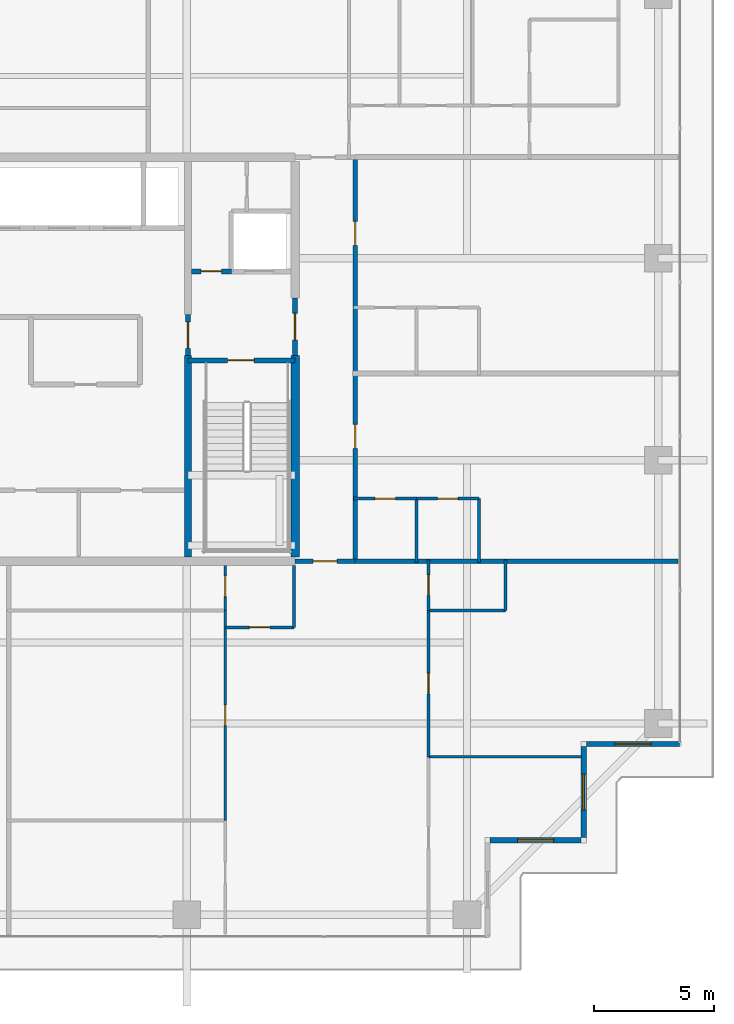
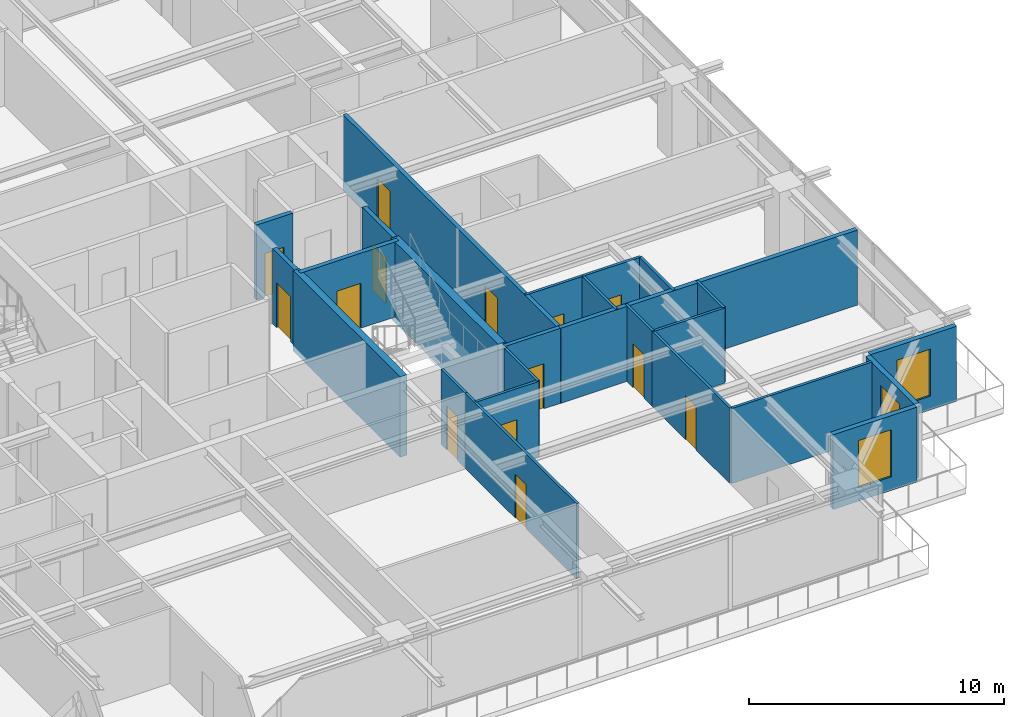
# One storey, part 29 of 38: 25 walls, 14 doors, 3 windows, 17 openings.
"""IFC4 building model written with IfcOpenShell, lengths in metres."""

from ifc_helpers import new_model, si_unit, direction, frame, frame_2d, origin, place, context, subcontext, project, spatial, rectangle, extrude, source, transform, mapped, material, layer, layer_set, type_object, element, fill, save


model = new_model("IFC4")

# Units and contexts
model_context = context("Model", 3, precision=1e-05, world=origin(), true_north=direction((0.0, 1.0)))
body_context = subcontext(model_context, "Body", "Model", "MODEL_VIEW")
ifc_project = project(units=[si_unit("LENGTHUNIT", "METRE"), si_unit("AREAUNIT", "SQUARE_METRE"), si_unit("VOLUMEUNIT", "CUBIC_METRE"), si_unit("PLANEANGLEUNIT", "RADIAN"), si_unit("MASSUNIT", "GRAM", prefix="KILO")], contexts=[model_context])

# Site, building, storey
site_placement = place(None, origin())
site = spatial("IfcSite", under=ifc_project, at=site_placement, CompositionType="ELEMENT")
building_placement = place(site_placement, origin())
building = spatial("IfcBuilding", under=site, at=building_placement, Name="Serunith Strait Residences", CompositionType="ELEMENT")
storey_placement = place(building_placement, frame((0.0, 0.0, 237.39990234375)))
storey = spatial("IfcBuildingStorey", under=building, at=storey_placement, Name="L59", CompositionType="ELEMENT", Elevation=237.39990234375)

# Wall, opening, window
ifc_material_1 = material(Name="Pale-Champagne Aluminium Insulated Panel", Category="aluminium")
ifc_layer_1 = layer(ifc_material_1, 0.219970703125, Name="Pale-Champagne Aluminium Insulated Panel")
ifc_layer_set_1 = layer_set([ifc_layer_1], Name="Pale-Champagne Aluminium Insulated Panel")
wall_type_1 = type_object("IfcWallType", Name="EW-ALUM-220", PredefinedType="ELEMENTEDWALL", material=ifc_layer_set_1)
wall_1_placement = place(storey_placement, frame((49.510009765625, 5.199951171875, 0.0), z_axis=(0.0, 0.0, 1.0), x_axis=(1.0, 0.0, 0.0)))
wall_1 = element("IfcWall", 1, at=wall_1_placement, inside=storey, type_object=wall_type_1, Name="L59 Girih Serrated Corner Wall 03", PredefinedType="ELEMENTEDWALL", context=body_context, shape_type="SweptSolid", body=[
    extrude(rectangle(XDim=3.780029296875, YDim=0.219970703125, at=frame_2d((1.89013671875, 0.0))), origin(), (0.0, 0.0, 1.0), 3.5751953125),
])
opening_1_placement = place(wall_1_placement, frame((1.139892578125, 0.0, 0.64990234375)))
opening_1 = element("IfcOpeningElement", 2, at=opening_1_placement, cuts=wall_1, Name="Opening W-05", PredefinedType="OPENING", context=body_context, shape_type="SweptSolid", body=[
    extrude(rectangle(XDim=1.5, YDim=2.25, at=frame_2d((0.75, 1.125))), frame((0.0, 0.1201171875, 0.0), z_axis=(0.0, -1.0, 0.0), x_axis=(1.0, 0.0, 0.0)), (0.0, 0.0, 1.0), 0.239990234375),
])
ifc_material_2 = material(Name="Ceramic-Fritted Operable Aluminium Window Glass", Category="aluminium")
window_type = type_object("IfcWindowType", Name="WIN-C5", PartitioningType="DOUBLE_PANEL_VERTICAL", PredefinedType="WINDOW", material=ifc_material_2)
shared_shape_1 = source(origin(), body_context, "Body", "SweptSolid", [
    extrude(rectangle(XDim=1.5, YDim=2.25, at=frame_2d((0.75, 1.125))), frame((0.0, 0.030029296875, 0.0), z_axis=(0.0, -1.0, 0.0), x_axis=(1.0, 0.0, 0.0)), (0.0, 0.0, 1.0), 0.06005859375),
])
window_1_placement = place(opening_1_placement, origin())
window_1 = element("IfcWindow", 3, at=window_1_placement, inside=storey, type_object=window_type, Name="L59 Corner Operable Fritted Window 03", OverallHeight=2.25, OverallWidth=1.5, PartitioningType="SINGLE_PANEL", PredefinedType="WINDOW", context=body_context, shape_type="MappedRepresentation", body=[
    mapped(shared_shape_1, transform((0.0, 0.0, 0.0), scale=1.0)),
])
fill(opening_1, window_1)

wall_2_placement = place(storey_placement, frame((53.39990234375, 5.31005859375, 0.0), z_axis=(0.0, 0.0, 1.0), x_axis=(0.0, 1.0, 0.0)))
wall_2 = element("IfcWall", 4, at=wall_2_placement, inside=storey, type_object=wall_type_1, Name="L59 Girih Serrated Corner Wall 04", PredefinedType="ELEMENTEDWALL", context=body_context, shape_type="SweptSolid", body=[
    extrude(rectangle(XDim=3.780029296875, YDim=0.219970703125, at=frame_2d((1.89013671875, 0.0))), origin(), (0.0, 0.0, 1.0), 3.5751953125),
])
opening_2_placement = place(wall_2_placement, frame((1.139892578125, 0.0, 0.64990234375)))
opening_2 = element("IfcOpeningElement", 5, at=opening_2_placement, cuts=wall_2, Name="Opening W-05", PredefinedType="OPENING", context=body_context, shape_type="SweptSolid", body=[
    extrude(rectangle(XDim=1.5, YDim=2.25, at=frame_2d((0.75, 1.125))), frame((0.0, 0.1201171875, 0.0), z_axis=(0.0, -1.0, 0.0), x_axis=(1.0, 0.0, 0.0)), (0.0, 0.0, 1.0), 0.239990234375),
])
window_2_placement = place(opening_2_placement, origin())
window_2 = element("IfcWindow", 6, at=window_2_placement, inside=storey, type_object=window_type, Name="L59 Corner Operable Fritted Window 04", OverallHeight=2.25, OverallWidth=1.5, PartitioningType="SINGLE_PANEL", PredefinedType="WINDOW", context=body_context, shape_type="MappedRepresentation", body=[
    mapped(shared_shape_1, transform((0.0, 0.0, 0.0), scale=1.0)),
])
fill(opening_2, window_2)

wall_3_placement = place(storey_placement, frame((53.510009765625, 9.199951171875, 0.0), z_axis=(0.0, 0.0, 1.0), x_axis=(1.0, 0.0, 0.0)))
wall_3 = element("IfcWall", 7, at=wall_3_placement, inside=storey, type_object=wall_type_1, Name="L59 Girih Serrated Corner Wall 05", PredefinedType="ELEMENTEDWALL", context=body_context, shape_type="SweptSolid", body=[
    extrude(rectangle(XDim=3.889892578125, YDim=0.219970703125, at=frame_2d((1.94482421875, 0.0))), origin(), (0.0, 0.0, 1.0), 3.5751953125),
])
opening_3_placement = place(wall_3_placement, frame((1.195068359375, 0.0, 0.64990234375)))
opening_3 = element("IfcOpeningElement", 8, at=opening_3_placement, cuts=wall_3, Name="Opening W-05", PredefinedType="OPENING", context=body_context, shape_type="SweptSolid", body=[
    extrude(rectangle(XDim=1.5, YDim=2.25, at=frame_2d((0.75, 1.125))), frame((0.0, 0.1201171875, 0.0), z_axis=(0.0, -1.0, 0.0), x_axis=(1.0, 0.0, 0.0)), (0.0, 0.0, 1.0), 0.239990234375),
])
window_3_placement = place(opening_3_placement, origin())
window_3 = element("IfcWindow", 9, at=window_3_placement, inside=storey, type_object=window_type, Name="L59 Corner Operable Fritted Window 05", OverallHeight=2.25, OverallWidth=1.5, PartitioningType="SINGLE_PANEL", PredefinedType="WINDOW", context=body_context, shape_type="MappedRepresentation", body=[
    mapped(shared_shape_1, transform((0.0, 0.0, 0.0), scale=1.0)),
])
fill(opening_3, window_3)

# Wall, opening, door
ifc_material_3 = material(Name="Fire-rated acoustic gypsum partition")
ifc_layer_2 = layer(ifc_material_3, 0.179931640625, Name="Fire-rated acoustic gypsum partition")
ifc_layer_set_2 = layer_set([ifc_layer_2], Name="Fire-rated acoustic gypsum partition")
wall_type_2 = type_object("IfcWallType", Name="IW-CORR-180", PredefinedType="PARTITIONING", material=ifc_layer_set_2)
wall_4_placement = place(storey_placement, frame((41.402099609375, 16.800048828125, 0.0), z_axis=(0.0, 0.0, 1.0), x_axis=(1.0, 0.0, 0.0)))
wall_4 = element("IfcWall", 10, at=wall_4_placement, inside=storey, type_object=wall_type_2, Name="L59 Partition Wall 032", PredefinedType="PARTITIONING", context=body_context, shape_type="SweptSolid", body=[
    extrude(rectangle(XDim=2.495849609375, YDim=0.179931640625, at=frame_2d((1.248046875, 0.0))), origin(), (0.0, 0.0, 1.0), 3.590087890625),
])
opening_4_placement = place(wall_4_placement, frame((0.748046875, 0.0, 0.0)))
opening_4 = element("IfcOpeningElement", 11, at=opening_4_placement, cuts=wall_4, Name="Opening D-APT1000", PredefinedType="OPENING", context=body_context, shape_type="SweptSolid", body=[
    extrude(rectangle(XDim=1.0, YDim=2.14990234375, at=frame_2d((0.5, 1.074951171875))), frame((0.0, 0.10009765625, 0.0), z_axis=(0.0, -1.0, 0.0), x_axis=(1.0, 0.0, 0.0)), (0.0, 0.0, 1.0), 0.199951171875),
])
ifc_material_4 = material(Name="Solid timber engineered fire door", Category="wood")
door_type_1 = type_object("IfcDoorType", Name="ID-APT-1000", OperationType="NOTDEFINED", PredefinedType="DOOR", material=ifc_material_4)
shared_shape_2 = source(origin(), body_context, "Body", "SweptSolid", [
    extrude(rectangle(XDim=1.0, YDim=2.14990234375, at=frame_2d((0.5, 1.074951171875))), frame((0.0, 0.02490234375, 0.0), z_axis=(0.0, -1.0, 0.0), x_axis=(1.0, 0.0, 0.0)), (0.0, 0.0, 1.0), 0.050048828125),
])
door_1_placement = place(opening_4_placement, origin())
door_1 = element("IfcDoor", 12, at=door_1_placement, inside=storey, type_object=door_type_1, Name="L59 Unit 02 Entrance Door", OperationType="SINGLE_SWING_LEFT", OverallHeight=2.14990234375, OverallWidth=1.0, PredefinedType="DOOR", context=body_context, shape_type="MappedRepresentation", body=[
    mapped(shared_shape_2, transform((0.0, 0.0, 0.0), scale=1.0)),
])
fill(opening_4, door_1)

# Wall, openings, doors
wall_5_placement = place(storey_placement, frame((43.89990234375, 16.800048828125, 0.0), z_axis=(0.0, 0.0, 1.0), x_axis=(0.0, 1.0, 0.0)))
wall_5 = element("IfcWall", 13, at=wall_5_placement, inside=storey, type_object=wall_type_2, Name="L59 Partition Wall 034", PredefinedType="PARTITIONING", context=body_context, shape_type="SweptSolid", body=[
    extrude(rectangle(XDim=16.800048828125, YDim=0.179931640625, at=frame_2d((8.39990234375, 0.0))), origin(), (0.0, 0.0, 1.0), 3.590087890625),
])
opening_5_placement = place(wall_5_placement, frame((4.693115234375, 0.0, 0.0)))
opening_5 = element("IfcOpeningElement", 14, at=opening_5_placement, cuts=wall_5, Name="Opening D-APT1000", PredefinedType="OPENING", context=body_context, shape_type="SweptSolid", body=[
    extrude(rectangle(XDim=1.0, YDim=2.14990234375, at=frame_2d((0.5, 1.074951171875))), frame((0.0, 0.10009765625, 0.0), z_axis=(0.0, -1.0, 0.0), x_axis=(1.0, 0.0, 0.0)), (0.0, 0.0, 1.0), 0.199951171875),
])
opening_6_placement = place(wall_5_placement, frame((13.1298828125, 0.0, 0.0)))
opening_6 = element("IfcOpeningElement", 15, at=opening_6_placement, cuts=wall_5, Name="Opening D-APT1000", PredefinedType="OPENING", context=body_context, shape_type="SweptSolid", body=[
    extrude(rectangle(XDim=1.0, YDim=2.14990234375, at=frame_2d((0.5, 1.074951171875))), frame((0.0, 0.10009765625, 0.0), z_axis=(0.0, -1.0, 0.0), x_axis=(1.0, 0.0, 0.0)), (0.0, 0.0, 1.0), 0.199951171875),
])
door_2_placement = place(opening_5_placement, origin())
door_2 = element("IfcDoor", 16, at=door_2_placement, inside=storey, type_object=door_type_1, Name="L59 Unit 08 Entrance Door", OperationType="SINGLE_SWING_LEFT", OverallHeight=2.14990234375, OverallWidth=1.0, PredefinedType="DOOR", context=body_context, shape_type="MappedRepresentation", body=[
    mapped(shared_shape_2, transform((0.0, 0.0, 0.0), scale=1.0)),
])
fill(opening_5, door_2)
door_3_placement = place(opening_6_placement, origin())
door_3 = element("IfcDoor", 17, at=door_3_placement, inside=storey, type_object=door_type_1, Name="L59 Unit 09 Entrance Door", OperationType="SINGLE_SWING_RIGHT", OverallHeight=2.14990234375, OverallWidth=1.0, PredefinedType="DOOR", context=body_context, shape_type="MappedRepresentation", body=[
    mapped(shared_shape_2, transform((0.0, 0.0, 0.0), scale=1.0)),
])
fill(opening_6, door_3)

# Wall, opening, door
ifc_material_5 = material(Name="Lightweight steel-stud gypsum partition", Category="steel")
ifc_layer_3 = layer(ifc_material_5, 0.1201171875, Name="Lightweight steel-stud gypsum partition")
ifc_layer_set_3 = layer_set([ifc_layer_3], Name="Lightweight steel-stud gypsum partition")
wall_type_3 = type_object("IfcWallType", Name="IW-PART-120", PredefinedType="PARTITIONING", material=ifc_layer_set_3)
wall_6_placement = place(storey_placement, frame((38.5, 14.050048828125, 0.0), z_axis=(0.0, 0.0, 1.0), x_axis=(1.0, 0.0, 0.0)))
wall_6 = element("IfcWall", 18, at=wall_6_placement, inside=storey, type_object=wall_type_3, Name="L59 Partition Wall 049", PredefinedType="PARTITIONING", context=body_context, shape_type="SweptSolid", body=[
    extrude(rectangle(XDim=2.85009765625, YDim=0.1201171875, at=frame_2d((1.425048828125, 0.0))), origin(), (0.0, 0.0, 1.0), 3.590087890625),
])
opening_7_placement = place(wall_6_placement, frame((1.0, 0.0, 0.0)))
opening_7 = element("IfcOpeningElement", 19, at=opening_7_placement, cuts=wall_6, Name="Opening D-RM850", PredefinedType="OPENING", context=body_context, shape_type="SweptSolid", body=[
    extrude(rectangle(XDim=0.85009765625, YDim=2.10009765625, at=frame_2d((0.425048828125, 1.050048828125))), frame((0.0, 0.070068359375, 0.0), z_axis=(0.0, -1.0, 0.0), x_axis=(1.0, 0.0, 0.0)), (0.0, 0.0, 1.0), 0.14013671875),
])
ifc_material_6 = material(Name="Engineered timber flush study and kitchen door", Category="wood")
door_type_2 = type_object("IfcDoorType", Name="ID-ROOM-850", OperationType="NOTDEFINED", PredefinedType="DOOR", material=ifc_material_6)
shared_shape_3 = source(origin(), body_context, "Body", "SweptSolid", [
    extrude(rectangle(XDim=0.85009765625, YDim=2.10009765625, at=frame_2d((0.425048828125, 1.050048828125))), frame((0.0, 0.02490234375, 0.0), z_axis=(0.0, -1.0, 0.0), x_axis=(1.0, 0.0, 0.0)), (0.0, 0.0, 1.0), 0.050048828125),
])
door_4_placement = place(opening_7_placement, origin())
door_4 = element("IfcDoor", 20, at=door_4_placement, inside=storey, type_object=door_type_2, Name="L59 Kitchen 5902 Door", OperationType="SINGLE_SWING_RIGHT", OverallHeight=2.10009765625, OverallWidth=0.85009765625, PredefinedType="DOOR", context=body_context, shape_type="MappedRepresentation", body=[
    mapped(shared_shape_3, transform((0.0, 0.0, 0.0), scale=1.0)),
])
fill(opening_7, door_4)

# Wall
wall_7_placement = place(storey_placement, frame((41.35009765625, 14.050048828125, 0.0), z_axis=(0.0, 0.0, 1.0), x_axis=(0.0, 1.0, 0.0)))
element("IfcWall", 21, at=wall_7_placement, inside=storey, type_object=wall_type_3, Name="L59 Partition Wall 050", PredefinedType="PARTITIONING", context=body_context, shape_type="SweptSolid", body=[
    extrude(rectangle(XDim=2.574951171875, YDim=0.1201171875, at=frame_2d((1.28759765625, 0.0))), origin(), (0.0, 0.0, 1.0), 3.590087890625),
])

# Wall, opening, door
wall_8_placement = place(storey_placement, frame((38.5, 6.02392578125, 0.0), z_axis=(0.0, 0.0, 1.0), x_axis=(0.0, 1.0, 0.0)))
wall_8 = element("IfcWall", 22, at=wall_8_placement, inside=storey, type_object=wall_type_3, Name="L59 Partition Wall 054", PredefinedType="PARTITIONING", context=body_context, shape_type="SweptSolid", body=[
    extrude(rectangle(XDim=8.72607421875, YDim=0.1201171875, at=frame_2d((4.363037109375, 0.0))), origin(), (0.0, 0.0, 1.0), 3.590087890625),
])
opening_8_placement = place(wall_8_placement, frame((3.93798828125, 0.0, 0.0)))
opening_8 = element("IfcOpeningElement", 23, at=opening_8_placement, cuts=wall_8, Name="Opening D-RM850", PredefinedType="OPENING", context=body_context, shape_type="SweptSolid", body=[
    extrude(rectangle(XDim=0.85009765625, YDim=2.10009765625, at=frame_2d((0.425048828125, 1.050048828125))), frame((0.0, 0.070068359375, 0.0), z_axis=(0.0, -1.0, 0.0), x_axis=(1.0, 0.0, 0.0)), (0.0, 0.0, 1.0), 0.14013671875),
])
door_5_placement = place(opening_8_placement, origin())
door_5 = element("IfcDoor", 24, at=door_5_placement, inside=storey, type_object=door_type_2, Name="L59 Walk-in Wardrobe 5902 Door", OperationType="SINGLE_SWING_RIGHT", OverallHeight=2.10009765625, OverallWidth=0.85009765625, PredefinedType="DOOR", context=body_context, shape_type="MappedRepresentation", body=[
    mapped(shared_shape_3, transform((0.0, 0.0, 0.0), scale=1.0)),
])
fill(opening_8, door_5)

wall_9_placement = place(storey_placement, frame((38.5, 14.751953125, 0.0), z_axis=(0.0, 0.0, 1.0), x_axis=(0.0, 1.0, 0.0)))
wall_9 = element("IfcWall", 25, at=wall_9_placement, inside=storey, type_object=wall_type_3, Name="L59 Partition Wall 055", PredefinedType="PARTITIONING", context=body_context, shape_type="SweptSolid", body=[
    extrude(rectangle(XDim=1.873046875, YDim=0.1201171875, at=frame_2d((0.9365234375, 0.0))), origin(), (0.0, 0.0, 1.0), 3.590087890625),
])
opening_9_placement = place(wall_9_placement, frame((0.574951171875, 0.0, 0.0)))
opening_9 = element("IfcOpeningElement", 26, at=opening_9_placement, cuts=wall_9, Name="Opening D-BTH850", PredefinedType="OPENING", context=body_context, shape_type="SweptSolid", body=[
    extrude(rectangle(XDim=0.85009765625, YDim=2.10009765625, at=frame_2d((0.425048828125, 1.050048828125))), frame((0.0, 0.070068359375, 0.0), z_axis=(0.0, -1.0, 0.0), x_axis=(1.0, 0.0, 0.0)), (0.0, 0.0, 1.0), 0.14013671875),
])
ifc_material_7 = material(Name="Moisture-resistant timber bathroom door", Category="wood")
door_type_3 = type_object("IfcDoorType", Name="ID-BATH-850", OperationType="NOTDEFINED", PredefinedType="DOOR", material=ifc_material_7)
door_6_placement = place(opening_9_placement, origin())
door_6 = element("IfcDoor", 27, at=door_6_placement, inside=storey, type_object=door_type_3, Name="L59 Bathroom 5902 Door", OperationType="SINGLE_SWING_LEFT", OverallHeight=2.10009765625, OverallWidth=0.85009765625, PredefinedType="DOOR", context=body_context, shape_type="MappedRepresentation", body=[
    mapped(shared_shape_3, transform((0.0, 0.0, 0.0), scale=1.0)),
])
fill(opening_9, door_6)

# Walls
wall_10_placement = place(storey_placement, frame((46.949951171875, 8.66796875, 0.0), z_axis=(0.0, 0.0, 1.0), x_axis=(1.0, 0.0, 0.0)))
element("IfcWall", 28, at=wall_10_placement, inside=storey, type_object=wall_type_3, Name="L59 Partition Wall 057", PredefinedType="PARTITIONING", context=body_context, shape_type="SweptSolid", body=[
    extrude(rectangle(XDim=6.35498046875, YDim=0.1201171875, at=frame_2d((3.177490234375, 0.0))), origin(), (0.0, 0.0, 1.0), 3.590087890625),
])
wall_11_placement = place(storey_placement, frame((46.949951171875, 14.75, 0.0), z_axis=(0.0, 0.0, 1.0), x_axis=(1.0, 0.0, 0.0)))
element("IfcWall", 29, at=wall_11_placement, inside=storey, type_object=wall_type_3, Name="L59 Partition Wall 058", PredefinedType="PARTITIONING", context=body_context, shape_type="SweptSolid", body=[
    extrude(rectangle(XDim=3.199951171875, YDim=0.1201171875, at=frame_2d((1.60009765625, 0.0))), origin(), (0.0, 0.0, 1.0), 3.590087890625),
])
wall_12_placement = place(storey_placement, frame((50.14990234375, 14.75, 0.0), z_axis=(0.0, 0.0, 1.0), x_axis=(0.0, 1.0, 0.0)))
element("IfcWall", 30, at=wall_12_placement, inside=storey, type_object=wall_type_3, Name="L59 Partition Wall 059", PredefinedType="PARTITIONING", context=body_context, shape_type="SweptSolid", body=[
    extrude(rectangle(XDim=2.110107421875, YDim=0.1201171875, at=frame_2d((1.05517578125, 0.0))), origin(), (0.0, 0.0, 1.0), 3.590087890625),
])

# Wall, opening, door
wall_13_placement = place(storey_placement, frame((46.949951171875, 8.669921875, 0.0), z_axis=(0.0, 0.0, 1.0), x_axis=(0.0, 1.0, 0.0)))
wall_13 = element("IfcWall", 31, at=wall_13_placement, inside=storey, type_object=wall_type_3, Name="L59 Partition Wall 060", PredefinedType="PARTITIONING", context=body_context, shape_type="SweptSolid", body=[
    extrude(rectangle(XDim=6.080078125, YDim=0.1201171875, at=frame_2d((3.0400390625, 0.0))), origin(), (0.0, 0.0, 1.0), 3.590087890625),
])
opening_10_placement = place(wall_13_placement, frame((2.614990234375, 0.0, 0.0)))
opening_10 = element("IfcOpeningElement", 32, at=opening_10_placement, cuts=wall_13, Name="Opening D-RM850", PredefinedType="OPENING", context=body_context, shape_type="SweptSolid", body=[
    extrude(rectangle(XDim=0.85009765625, YDim=2.10009765625, at=frame_2d((0.425048828125, 1.050048828125))), frame((0.0, 0.070068359375, 0.0), z_axis=(0.0, -1.0, 0.0), x_axis=(1.0, 0.0, 0.0)), (0.0, 0.0, 1.0), 0.14013671875),
])
door_7_placement = place(opening_10_placement, origin())
door_7 = element("IfcDoor", 33, at=door_7_placement, inside=storey, type_object=door_type_2, Name="L59 Walk-in Wardrobe 5902 Door", OperationType="SINGLE_SWING_LEFT", OverallHeight=2.10009765625, OverallWidth=0.85009765625, PredefinedType="DOOR", context=body_context, shape_type="MappedRepresentation", body=[
    mapped(shared_shape_3, transform((0.0, 0.0, 0.0), scale=1.0)),
])
fill(opening_10, door_7)

wall_14_placement = place(storey_placement, frame((46.949951171875, 14.751953125, 0.0), z_axis=(0.0, 0.0, 1.0), x_axis=(0.0, 1.0, 0.0)))
wall_14 = element("IfcWall", 34, at=wall_14_placement, inside=storey, type_object=wall_type_3, Name="L59 Partition Wall 061", PredefinedType="PARTITIONING", context=body_context, shape_type="SweptSolid", body=[
    extrude(rectangle(XDim=2.108154296875, YDim=0.1201171875, at=frame_2d((1.05419921875, 0.0))), origin(), (0.0, 0.0, 1.0), 3.590087890625),
])
opening_11_placement = place(wall_14_placement, frame((0.62890625, 0.0, 0.0)))
opening_11 = element("IfcOpeningElement", 35, at=opening_11_placement, cuts=wall_14, Name="Opening D-BTH850", PredefinedType="OPENING", context=body_context, shape_type="SweptSolid", body=[
    extrude(rectangle(XDim=0.85009765625, YDim=2.10009765625, at=frame_2d((0.425048828125, 1.050048828125))), frame((0.0, 0.070068359375, 0.0), z_axis=(0.0, -1.0, 0.0), x_axis=(1.0, 0.0, 0.0)), (0.0, 0.0, 1.0), 0.14013671875),
])
door_8_placement = place(opening_11_placement, origin())
door_8 = element("IfcDoor", 36, at=door_8_placement, inside=storey, type_object=door_type_3, Name="L59 Bathroom 5902 Door", OperationType="SINGLE_SWING_RIGHT", OverallHeight=2.10009765625, OverallWidth=0.85009765625, PredefinedType="DOOR", context=body_context, shape_type="MappedRepresentation", body=[
    mapped(shared_shape_3, transform((0.0, 0.0, 0.0), scale=1.0)),
])
fill(opening_11, door_8)

wall_15_placement = place(storey_placement, frame((49.050048828125, 19.39990234375, 0.0), z_axis=(0.0, 0.0, 1.0), x_axis=(-1.0, 0.0, 0.0)))
wall_15 = element("IfcWall", 37, at=wall_15_placement, inside=storey, type_object=wall_type_3, Name="L59 Partition Wall 101", PredefinedType="PARTITIONING", context=body_context, shape_type="SweptSolid", body=[
    extrude(rectangle(XDim=2.60009765625, YDim=0.1201171875, at=frame_2d((1.300048828125, 0.0))), origin(), (0.0, 0.0, 1.0), 3.590087890625),
])
opening_12_placement = place(wall_15_placement, frame((0.875, 0.0, 0.0)))
opening_12 = element("IfcOpeningElement", 38, at=opening_12_placement, cuts=wall_15, Name="Opening D-RM850", PredefinedType="OPENING", context=body_context, shape_type="SweptSolid", body=[
    extrude(rectangle(XDim=0.85009765625, YDim=2.10009765625, at=frame_2d((0.425048828125, 1.050048828125))), frame((0.0, 0.070068359375, 0.0), z_axis=(0.0, -1.0, 0.0), x_axis=(1.0, 0.0, 0.0)), (0.0, 0.0, 1.0), 0.14013671875),
])
door_9_placement = place(opening_12_placement, origin())
door_9 = element("IfcDoor", 39, at=door_9_placement, inside=storey, type_object=door_type_2, Name="L59 Kitchen 5908 Door", OperationType="SINGLE_SWING_LEFT", OverallHeight=2.10009765625, OverallWidth=0.85009765625, PredefinedType="DOOR", context=body_context, shape_type="MappedRepresentation", body=[
    mapped(shared_shape_3, transform((0.0, 0.0, 0.0), scale=1.0)),
])
fill(opening_12, door_9)

wall_16_placement = place(storey_placement, frame((46.447998046875, 19.39990234375, 0.0), z_axis=(0.0, 0.0, 1.0), x_axis=(-1.0, 0.0, 0.0)))
wall_16 = element("IfcWall", 40, at=wall_16_placement, inside=storey, type_object=wall_type_3, Name="L59 Partition Wall 102", PredefinedType="PARTITIONING", context=body_context, shape_type="SweptSolid", body=[
    extrude(rectangle(XDim=2.60791015625, YDim=0.1201171875, at=frame_2d((1.303955078125, 0.0))), origin(), (0.0, 0.0, 1.0), 3.590087890625),
])
opening_13_placement = place(wall_16_placement, frame((0.87890625, 0.0, 0.0)))
opening_13 = element("IfcOpeningElement", 41, at=opening_13_placement, cuts=wall_16, Name="Opening D-BTH850", PredefinedType="OPENING", context=body_context, shape_type="SweptSolid", body=[
    extrude(rectangle(XDim=0.85009765625, YDim=2.10009765625, at=frame_2d((0.425048828125, 1.050048828125))), frame((0.0, 0.070068359375, 0.0), z_axis=(0.0, -1.0, 0.0), x_axis=(1.0, 0.0, 0.0)), (0.0, 0.0, 1.0), 0.14013671875),
])
door_10_placement = place(opening_13_placement, origin())
door_10 = element("IfcDoor", 42, at=door_10_placement, inside=storey, type_object=door_type_3, Name="L59 Bathroom 5908 Door", OperationType="SINGLE_SWING_RIGHT", OverallHeight=2.10009765625, OverallWidth=0.85009765625, PredefinedType="DOOR", context=body_context, shape_type="MappedRepresentation", body=[
    mapped(shared_shape_3, transform((0.0, 0.0, 0.0), scale=1.0)),
])
fill(opening_13, door_10)

# Walls
for number, where, z_axis, x_axis, name in (
    (43, (46.449951171875, 16.739990234375, 0.0), (0.0, 0.0, 1.0), (0.0, 1.0, 0.0), "L59 Partition Wall 103"),
    (44, (49.050048828125, 16.739990234375, 0.0), (0.0, 0.0, 1.0), (0.0, 1.0, 0.0), "L59 Partition Wall 104"),
):
    element("IfcWall", number, at=place(storey_placement, frame(where, z_axis=z_axis, x_axis=x_axis)), inside=storey, type_object=wall_type_3, Name=name, PredefinedType="PARTITIONING", context=body_context, shape_type="SweptSolid", body=[
        extrude(rectangle(XDim=2.659912109375, YDim=0.1201171875, at=frame_2d((1.330078125, 0.0))), origin(), (0.0, 0.0, 1.0), 3.590087890625),
    ])
ifc_material_8 = material(Name="Twin-stud acoustic gypsum board partition")
ifc_layer_4 = layer(ifc_material_8, 0.199951171875, Name="Twin-stud acoustic gypsum board partition")
ifc_layer_set_4 = layer_set([ifc_layer_4], Name="Twin-stud acoustic gypsum board partition")
wall_type_4 = type_object("IfcWallType", Name="IW-PARTY-200", PredefinedType="PARTITIONING", material=ifc_layer_set_4)
wall_17_placement = place(storey_placement, frame((43.89990234375, 16.800048828125, 0.0), z_axis=(0.0, 0.0, 1.0), x_axis=(1.0, 0.0, 0.0)))
element("IfcWall", 45, at=wall_17_placement, inside=storey, type_object=wall_type_4, Name="L59 Partition Wall 026", PredefinedType="PARTITIONING", context=body_context, shape_type="SweptSolid", body=[
    extrude(rectangle(XDim=13.418212890625, YDim=0.199951171875, at=frame_2d((6.708984375, 0.0))), origin(), (0.0, 0.0, 1.0), 3.590087890625),
])

# Wall, opening, door
ifc_material_9 = material(Name="Autoclaved aerated concrete blockwork", Category="masonry")
ifc_layer_5 = layer(ifc_material_9, 0.199951171875, Name="Autoclaved aerated concrete blockwork")
ifc_layer_set_5 = layer_set([ifc_layer_5], Name="Autoclaved aerated concrete blockwork")
wall_type_5 = type_object("IfcWallType", Name="IW-SHAFT-200", PredefinedType="STANDARD", material=ifc_layer_set_5)
wall_18_placement = place(storey_placement, frame((36.949951171875, 25.14990234375, 0.0), z_axis=(0.0, 0.0, 1.0), x_axis=(1.0, 0.0, 0.0)))
wall_18 = element("IfcWall", 46, at=wall_18_placement, inside=storey, type_object=wall_type_5, Name="L59 ST-2 North Shaft Wall", PredefinedType="STANDARD", context=body_context, shape_type="SweptSolid", body=[
    extrude(rectangle(XDim=4.449951171875, YDim=0.199951171875, at=frame_2d((2.22509765625, 0.0))), origin(), (0.0, 0.0, 1.0), 3.590087890625),
])
opening_14_placement = place(wall_18_placement, frame((1.64990234375, 0.0, 0.0)))
opening_14 = element("IfcOpeningElement", 47, at=opening_14_placement, cuts=wall_18, Name="Opening FD-1100", PredefinedType="OPENING", context=body_context, shape_type="SweptSolid", body=[
    extrude(rectangle(XDim=1.10009765625, YDim=2.14990234375, at=frame_2d((0.550048828125, 1.074951171875))), frame((0.0, 0.10986328125, 0.0), z_axis=(0.0, -1.0, 0.0), x_axis=(1.0, 0.0, 0.0)), (0.0, 0.0, 1.0), 0.219970703125),
])
ifc_material_10 = material(Name="Galvanised steel fire door leaf", Category="steel")
door_type_4 = type_object("IfcDoorType", Name="FD-STAIR-1100", OperationType="NOTDEFINED", PredefinedType="DOOR", material=ifc_material_10)
shared_shape_4 = source(origin(), body_context, "Body", "SweptSolid", [
    extrude(rectangle(XDim=1.10009765625, YDim=2.14990234375, at=frame_2d((0.550048828125, 1.074951171875))), frame((0.0, 0.02490234375, 0.0), z_axis=(0.0, -1.0, 0.0), x_axis=(1.0, 0.0, 0.0)), (0.0, 0.0, 1.0), 0.050048828125),
])
door_11_placement = place(opening_14_placement, origin())
door_11 = element("IfcDoor", 48, at=door_11_placement, inside=storey, type_object=door_type_4, Name="L59 ST-2 Escape Stair Door", OperationType="SINGLE_SWING_RIGHT", OverallHeight=2.14990234375, OverallWidth=1.10009765625, PredefinedType="DOOR", context=body_context, shape_type="MappedRepresentation", body=[
    mapped(shared_shape_4, transform((0.0, 0.0, 0.0), scale=1.0)),
])
fill(opening_14, door_11)

wall_19_placement = place(storey_placement, frame((37.10009765625, 28.85009765625, 0.0), z_axis=(0.0, 0.0, 1.0), x_axis=(1.0, 0.0, 0.0)))
wall_19 = element("IfcWall", 49, at=wall_19_placement, inside=storey, type_object=wall_type_5, Name="L59 Partition Wall 006", PredefinedType="STANDARD", context=body_context, shape_type="SweptSolid", body=[
    extrude(rectangle(XDim=1.64794921875, YDim=0.199951171875, at=frame_2d((0.823974609375, 0.0))), origin(), (0.0, 0.0, 1.0), 3.590087890625),
])
opening_15_placement = place(wall_19_placement, frame((0.39892578125, 0.0, 0.0)))
opening_15 = element("IfcOpeningElement", 50, at=opening_15_placement, cuts=wall_19, Name="Opening FD-850", PredefinedType="OPENING", context=body_context, shape_type="SweptSolid", body=[
    extrude(rectangle(XDim=0.85009765625, YDim=2.10009765625, at=frame_2d((0.425048828125, 1.050048828125))), frame((0.0, 0.10986328125, 0.0), z_axis=(0.0, -1.0, 0.0), x_axis=(1.0, 0.0, 0.0)), (0.0, 0.0, 1.0), 0.219970703125),
])
ifc_material_11 = material(Name="Powder-coated steel service closet door", Category="steel")
door_type_5 = type_object("IfcDoorType", Name="FD-BOH-850", OperationType="NOTDEFINED", PredefinedType="DOOR", material=ifc_material_11)
door_12_placement = place(opening_15_placement, origin())
door_12 = element("IfcDoor", 51, at=door_12_placement, inside=storey, type_object=door_type_5, Name="L59 North-East Core Service Door", OperationType="SINGLE_SWING_RIGHT", OverallHeight=2.10009765625, OverallWidth=0.85009765625, PredefinedType="DOOR", context=body_context, shape_type="MappedRepresentation", body=[
    mapped(shared_shape_3, transform((0.0, 0.0, 0.0), scale=1.0)),
])
fill(opening_15, door_12)

wall_20_placement = place(storey_placement, frame((41.39990234375, 25.35205078125, 0.0), z_axis=(0.0, 0.0, 1.0), x_axis=(0.0, 1.0, 0.0)))
wall_20 = element("IfcWall", 52, at=wall_20_placement, inside=storey, type_object=wall_type_5, Name="L59 Partition Wall 008", PredefinedType="STANDARD", context=body_context, shape_type="SweptSolid", body=[
    extrude(rectangle(XDim=2.39599609375, YDim=0.199951171875, at=frame_2d((1.197998046875, 0.0))), origin(), (0.0, 0.0, 1.0), 3.590087890625),
])
opening_16_placement = place(wall_20_placement, frame((0.64794921875, 0.0, 0.0)))
opening_16 = element("IfcOpeningElement", 53, at=opening_16_placement, cuts=wall_20, Name="Opening FD-FFL", PredefinedType="OPENING", context=body_context, shape_type="SweptSolid", body=[
    extrude(rectangle(XDim=1.10009765625, YDim=2.14990234375, at=frame_2d((0.550048828125, 1.074951171875))), frame((0.0, 0.10986328125, 0.0), z_axis=(0.0, -1.0, 0.0), x_axis=(1.0, 0.0, 0.0)), (0.0, 0.0, 1.0), 0.219970703125),
])
ifc_material_12 = material(Name="Glazed steel smoke-lobby fire door", Category="steel")
door_type_6 = type_object("IfcDoorType", Name="FD-FFL-1100", OperationType="NOTDEFINED", PredefinedType="DOOR", material=ifc_material_12)
door_13_placement = place(opening_16_placement, origin())
door_13 = element("IfcDoor", 54, at=door_13_placement, inside=storey, type_object=door_type_6, Name="L59 FFL-2 Corridor Fire Door", OperationType="SINGLE_SWING_RIGHT", OverallHeight=2.14990234375, OverallWidth=1.10009765625, PredefinedType="DOOR", context=body_context, shape_type="MappedRepresentation", body=[
    mapped(shared_shape_4, transform((0.0, 0.0, 0.0), scale=1.0)),
])
fill(opening_16, door_13)

wall_21_placement = place(storey_placement, frame((36.949951171875, 25.35205078125, 0.0), z_axis=(0.0, 0.0, 1.0), x_axis=(0.0, 1.0, 0.0)))
wall_21 = element("IfcWall", 55, at=wall_21_placement, inside=storey, type_object=wall_type_5, Name="L59 Partition Wall 010", PredefinedType="STANDARD", context=body_context, shape_type="SweptSolid", body=[
    extrude(rectangle(XDim=1.696044921875, YDim=0.199951171875, at=frame_2d((0.84814453125, 0.0))), origin(), (0.0, 0.0, 1.0), 3.590087890625),
])
opening_17_placement = place(wall_21_placement, frame((0.298095703125, 0.0, 0.0)))
opening_17 = element("IfcOpeningElement", 56, at=opening_17_placement, cuts=wall_21, Name="Opening FD-FFL", PredefinedType="OPENING", context=body_context, shape_type="SweptSolid", body=[
    extrude(rectangle(XDim=1.10009765625, YDim=2.14990234375, at=frame_2d((0.550048828125, 1.074951171875))), frame((0.0, 0.10986328125, 0.0), z_axis=(0.0, -1.0, 0.0), x_axis=(1.0, 0.0, 0.0)), (0.0, 0.0, 1.0), 0.219970703125),
])
door_14_placement = place(opening_17_placement, origin())
door_14 = element("IfcDoor", 57, at=door_14_placement, inside=storey, type_object=door_type_6, Name="L59 FFL-2 Lift Lobby Door", OperationType="SINGLE_SWING_RIGHT", OverallHeight=2.14990234375, OverallWidth=1.10009765625, PredefinedType="DOOR", context=body_context, shape_type="MappedRepresentation", body=[
    mapped(shared_shape_4, transform((0.0, 0.0, 0.0), scale=1.0)),
])
fill(opening_17, door_14)

# Walls
ifc_material_13 = material(Name="Concrete C60/75", Category="concrete")
ifc_layer_6 = layer(ifc_material_13, 0.300048828125, Name="Concrete C60/75")
ifc_layer_set_6 = layer_set([ifc_layer_6], Name="Concrete C60/75")
wall_type_6 = type_object("IfcWallType", Name="SW-300-C60", PredefinedType="SHEAR", material=ifc_layer_set_6)
wall_22_placement = place(storey_placement, frame((36.949951171875, 16.97509765625, -0.260009765625), z_axis=(0.0, 0.0, 1.0), x_axis=(0.0, 1.0, 0.0)))
element("IfcWall", 58, at=wall_22_placement, inside=storey, type_object=wall_type_6, Name="L59 Core Internal East Web South Pier", PredefinedType="SHEAR", context=body_context, shape_type="SweptSolid", body=[
    extrude(rectangle(XDim=8.375, YDim=0.300048828125, at=frame_2d((4.1875, 0.0))), origin(), (0.0, 0.0, 1.0), 3.84814453125),
])
ifc_layer_7 = layer(ifc_material_13, 0.35009765625, Name="Concrete C60/75")
ifc_layer_set_7 = layer_set([ifc_layer_7], Name="Concrete C60/75")
wall_type_7 = type_object("IfcWallType", Name="SW-350-C60", PredefinedType="SHEAR", material=ifc_layer_set_7)
wall_23_placement = place(storey_placement, frame((41.39990234375, 16.97509765625, -0.260009765625), z_axis=(0.0, 0.0, 1.0), x_axis=(0.0, 1.0, 0.0)))
element("IfcWall", 59, at=wall_23_placement, inside=storey, type_object=wall_type_7, Name="L59 Core East Shear Wall South Pier", PredefinedType="SHEAR", context=body_context, shape_type="SweptSolid", body=[
    extrude(rectangle(XDim=8.375, YDim=0.35009765625, at=frame_2d((4.1875, 0.0))), origin(), (0.0, 0.0, 1.0), 3.84814453125),
])

save(model, "model.ifc")
